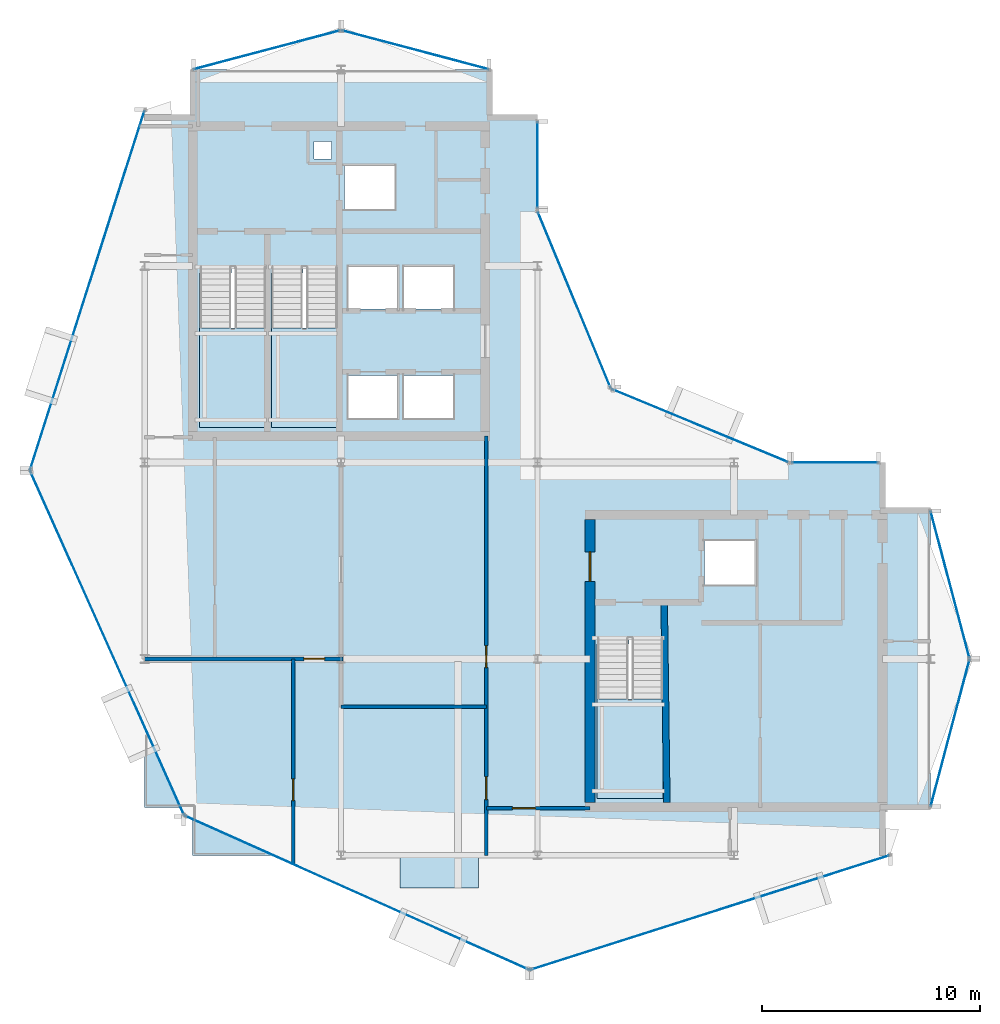
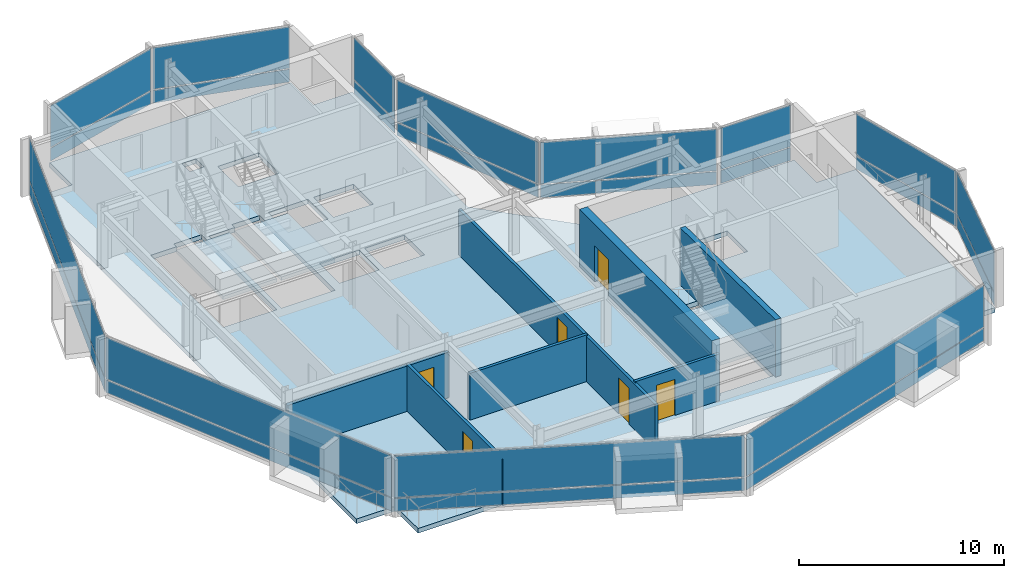
# One storey, part 13 of 19: 24 plates, 7 walls, 6 doors, 5 slabs, 6 openings, 15 elements without a shape of their own.
"""IFC4 building model written with IfcOpenShell, lengths in metres."""

from ifc_helpers import new_model, si_unit, direction, frame, frame_2d, origin, origin_2d, place, context, subcontext, project, spatial, polyline, rectangle, outline, extrude, material, layer, layer_set, type_object, element, fill, aggregate, save


model = new_model("IFC4")

# Units and contexts
model_context = context("Model", 3, precision=1e-05, world=origin(), true_north=direction((0.0, 1.0)))
body_context = subcontext(model_context, "Body", "Model", "MODEL_VIEW")
ifc_project = project(units=[si_unit("LENGTHUNIT", "METRE"), si_unit("AREAUNIT", "SQUARE_METRE"), si_unit("VOLUMEUNIT", "CUBIC_METRE"), si_unit("PLANEANGLEUNIT", "RADIAN"), si_unit("MASSUNIT", "GRAM", prefix="KILO")], contexts=[model_context])

# Site, building, storey
site_placement = place(None, origin())
site = spatial("IfcSite", under=ifc_project, at=site_placement, CompositionType="ELEMENT")
building_placement = place(site_placement, origin())
building = spatial("IfcBuilding", under=site, at=building_placement, Name="Solvaryn Broadcast Tower", CompositionType="ELEMENT")
storey_placement = place(building_placement, frame((0.0, 0.0, 263.0)))
storey = spatial("IfcBuildingStorey", under=building, at=storey_placement, Name="L66", CompositionType="ELEMENT", Elevation=263.0)

# Curtain wall, plates
ifc_material_1 = material(Name="Aluminium and Terracotta Unitised Curtain Wall", Category="masonry")
ifc_layer_1 = layer(ifc_material_1, 0.199951171875)
ifc_layer_set_1 = layer_set([ifc_layer_1], Name="CW-SYS2-LOWMID")
curtain_wall_type = type_object("IfcCurtainWallType", Name="CW-SYS2-LOWMID", PredefinedType="NOTDEFINED", material=ifc_layer_set_1)
curtain_wall_1_placement = place(storey_placement, origin())
curtain_wall_1 = element("IfcCurtainWall", 1, at=curtain_wall_1_placement, inside=storey, type_object=curtain_wall_type, Name="L66 Curtain Wall DR1", PredefinedType="NOTDEFINED")
ifc_material_2 = material(Name="Kiln-Fired Architectural Terracotta Spandrel", Category="masonry")
ifc_layer_2 = layer(ifc_material_2, 0.048095703125)
ifc_layer_set_2 = layer_set([ifc_layer_2], Name="CW-PNL-TERRACOTTA")
plate_type = type_object("IfcPlateType", Name="CW-PNL-TERRACOTTA", PredefinedType="CURTAIN_PANEL", material=ifc_layer_set_2)
plate_1_placement = place(storey_placement, frame((6.368896484375, 34.892578125, 0.06005859375), z_axis=(0.0, 0.0, 1.0), x_axis=(-0.30361564569, -0.952794594701, 0.0)))
plate_1 = element("IfcPlate", 2, at=plate_1_placement, type_object=plate_type, Name="CWS2 panel 1.1", PredefinedType="CURTAIN_PANEL", context=body_context, shape_type="SweptSolid", body=[
    extrude(rectangle(XDim=17.211181640625, YDim=0.028076171875, at=origin_2d()), origin(), (0.0, 0.0, 1.0), 0.760009765625),
])
plate_2_placement = place(storey_placement, frame((6.368896484375, 34.892578125, 0.880126953125), z_axis=(0.0, 0.0, 1.0), x_axis=(-0.30361564569, -0.952794594701, 0.0)))
plate_2 = element("IfcPlate", 3, at=plate_2_placement, type_object=plate_type, Name="CWS2 panel 1.2", PredefinedType="CURTAIN_PANEL", context=body_context, shape_type="SweptSolid", body=[
    extrude(rectangle(XDim=17.211181640625, YDim=0.028076171875, at=origin_2d()), origin(), (0.0, 0.0, 1.0), 2.47998046875),
])
aggregate(curtain_wall_1, [plate_1, plate_2])

curtain_wall_2_placement = place(storey_placement, origin())
curtain_wall_2 = element("IfcCurtainWall", 4, at=curtain_wall_2_placement, inside=storey, type_object=curtain_wall_type, Name="L66 Curtain Wall DR2", PredefinedType="NOTDEFINED")
plate_3_placement = place(storey_placement, frame((7.277587890625, 18.7265625, 0.06005859375), z_axis=(0.0, 0.0, 1.0), x_axis=(0.408466010682, -0.912773530574, 0.0)))
plate_3 = element("IfcPlate", 5, at=plate_3_placement, type_object=plate_type, Name="CWS2 panel 1.1", PredefinedType="CURTAIN_PANEL", context=body_context, shape_type="SweptSolid", body=[
    extrude(rectangle(XDim=17.210693359375, YDim=0.028076171875, at=origin_2d()), origin(), (0.0, 0.0, 1.0), 0.760009765625),
])
plate_4_placement = place(storey_placement, frame((7.277587890625, 18.7265625, 0.880126953125), z_axis=(0.0, 0.0, 1.0), x_axis=(0.408466010682, -0.912773530574, 0.0)))
plate_4 = element("IfcPlate", 6, at=plate_4_placement, type_object=plate_type, Name="CWS2 panel 1.2", PredefinedType="CURTAIN_PANEL", context=body_context, shape_type="SweptSolid", body=[
    extrude(rectangle(XDim=17.210693359375, YDim=0.028076171875, at=origin_2d()), origin(), (0.0, 0.0, 1.0), 2.47998046875),
])
aggregate(curtain_wall_2, [plate_3, plate_4])

curtain_wall_3_placement = place(storey_placement, origin())
curtain_wall_3 = element("IfcCurtainWall", 7, at=curtain_wall_3_placement, inside=storey, type_object=curtain_wall_type, Name="L66 Curtain Wall DR3", PredefinedType="NOTDEFINED")
plate_5_placement = place(storey_placement, frame((18.7265625, 7.277587890625, 0.06005859375), z_axis=(0.0, 0.0, 1.0), x_axis=(0.912773530574, -0.408466010682, 0.0)))
plate_5 = element("IfcPlate", 8, at=plate_5_placement, type_object=plate_type, Name="CWS2 panel 1.1", PredefinedType="CURTAIN_PANEL", context=body_context, shape_type="SweptSolid", body=[
    extrude(rectangle(XDim=17.210693359375, YDim=0.028076171875, at=origin_2d()), origin(), (0.0, 0.0, 1.0), 0.760009765625),
])
plate_6_placement = place(storey_placement, frame((18.7265625, 7.277587890625, 0.880126953125), z_axis=(0.0, 0.0, 1.0), x_axis=(0.912773530574, -0.408466010682, 0.0)))
plate_6 = element("IfcPlate", 9, at=plate_6_placement, type_object=plate_type, Name="CWS2 panel 1.2", PredefinedType="CURTAIN_PANEL", context=body_context, shape_type="SweptSolid", body=[
    extrude(rectangle(XDim=17.210693359375, YDim=0.028076171875, at=origin_2d()), origin(), (0.0, 0.0, 1.0), 2.47998046875),
])
aggregate(curtain_wall_3, [plate_5, plate_6])

curtain_wall_4_placement = place(storey_placement, origin())
curtain_wall_4 = element("IfcCurtainWall", 10, at=curtain_wall_4_placement, inside=storey, type_object=curtain_wall_type, Name="L66 Curtain Wall DR4", PredefinedType="NOTDEFINED")
plate_7_placement = place(storey_placement, frame((34.892578125, 6.368896484375, 0.06005859375), z_axis=(0.0, 0.0, 1.0), x_axis=(0.952794594701, 0.30361564569, 0.0)))
plate_7 = element("IfcPlate", 11, at=plate_7_placement, type_object=plate_type, Name="CWS2 panel 1.1", PredefinedType="CURTAIN_PANEL", context=body_context, shape_type="SweptSolid", body=[
    extrude(rectangle(XDim=17.211181640625, YDim=0.028076171875, at=origin_2d()), origin(), (0.0, 0.0, 1.0), 0.760009765625),
])
plate_8_placement = place(storey_placement, frame((34.892578125, 6.368896484375, 0.880126953125), z_axis=(0.0, 0.0, 1.0), x_axis=(0.952794594701, 0.30361564569, 0.0)))
plate_8 = element("IfcPlate", 12, at=plate_8_placement, type_object=plate_type, Name="CWS2 panel 1.2", PredefinedType="CURTAIN_PANEL", context=body_context, shape_type="SweptSolid", body=[
    extrude(rectangle(XDim=17.211181640625, YDim=0.028076171875, at=origin_2d()), origin(), (0.0, 0.0, 1.0), 2.47998046875),
])
aggregate(curtain_wall_4, [plate_7, plate_8])

curtain_wall_5_placement = place(storey_placement, origin())
curtain_wall_5 = element("IfcCurtainWall", 13, at=curtain_wall_5_placement, inside=storey, type_object=curtain_wall_type, Name="L66 Curtain Wall IV", PredefinedType="NOTDEFINED")
plate_9_placement = place(storey_placement, frame((27.0, 40.625, 0.06005859375), z_axis=(0.0, 0.0, 1.0), x_axis=(0.0, -1.0, 0.0)))
plate_9 = element("IfcPlate", 14, at=plate_9_placement, type_object=plate_type, Name="CWS2 panel 1.1", PredefinedType="CURTAIN_PANEL", context=body_context, shape_type="SweptSolid", body=[
    extrude(rectangle(XDim=3.929931640625, YDim=0.028076171875, at=origin_2d()), origin(), (0.0, 0.0, 1.0), 0.760009765625),
])
plate_10_placement = place(storey_placement, frame((27.0, 40.625, 0.880126953125), z_axis=(0.0, 0.0, 1.0), x_axis=(0.0, -1.0, 0.0)))
plate_10 = element("IfcPlate", 15, at=plate_10_placement, type_object=plate_type, Name="CWS2 panel 1.2", PredefinedType="CURTAIN_PANEL", context=body_context, shape_type="SweptSolid", body=[
    extrude(rectangle(XDim=3.929931640625, YDim=0.028076171875, at=origin_2d()), origin(), (0.0, 0.0, 1.0), 2.47998046875),
])
aggregate(curtain_wall_5, [plate_9, plate_10])

curtain_wall_6_placement = place(storey_placement, origin())
curtain_wall_6 = element("IfcCurtainWall", 16, at=curtain_wall_6_placement, inside=storey, type_object=curtain_wall_type, Name="L66 Curtain Wall CN1", PredefinedType="NOTDEFINED")
plate_11_placement = place(storey_placement, frame((34.43408203125, 28.68408203125, 0.06005859375), z_axis=(0.0, 0.0, 1.0), x_axis=(-0.923894983957, 0.382646127145, 0.0)))
plate_11 = element("IfcPlate", 17, at=plate_11_placement, type_object=plate_type, Name="CWS2 panel 1.1", PredefinedType="CURTAIN_PANEL", context=body_context, shape_type="SweptSolid", body=[
    extrude(rectangle(XDim=8.681884765625, YDim=0.028076171875, at=origin_2d()), origin(), (0.0, 0.0, 1.0), 0.760009765625),
])
plate_12_placement = place(storey_placement, frame((34.43408203125, 28.68408203125, 0.880126953125), z_axis=(0.0, 0.0, 1.0), x_axis=(-0.923894983957, 0.382646127145, 0.0)))
plate_12 = element("IfcPlate", 18, at=plate_12_placement, type_object=plate_type, Name="CWS2 panel 1.2", PredefinedType="CURTAIN_PANEL", context=body_context, shape_type="SweptSolid", body=[
    extrude(rectangle(XDim=8.681884765625, YDim=0.028076171875, at=origin_2d()), origin(), (0.0, 0.0, 1.0), 2.47998046875),
])
aggregate(curtain_wall_6, [plate_11, plate_12])

curtain_wall_7_placement = place(storey_placement, origin())
curtain_wall_7 = element("IfcCurtainWall", 19, at=curtain_wall_7_placement, inside=storey, type_object=curtain_wall_type, Name="L66 Curtain Wall CN2", PredefinedType="NOTDEFINED")
plate_13_placement = place(storey_placement, frame((28.68408203125, 34.43408203125, 0.06005859375), z_axis=(0.0, 0.0, 1.0), x_axis=(-0.382646127145, 0.923894983957, 0.0)))
plate_13 = element("IfcPlate", 20, at=plate_13_placement, type_object=plate_type, Name="CWS2 panel 1.1", PredefinedType="CURTAIN_PANEL", context=body_context, shape_type="SweptSolid", body=[
    extrude(rectangle(XDim=8.681884765625, YDim=0.028076171875, at=origin_2d()), origin(), (0.0, 0.0, 1.0), 0.760009765625),
])
plate_14_placement = place(storey_placement, frame((28.68408203125, 34.43408203125, 0.880126953125), z_axis=(0.0, 0.0, 1.0), x_axis=(-0.382646127145, 0.923894983957, 0.0)))
plate_14 = element("IfcPlate", 21, at=plate_14_placement, type_object=plate_type, Name="CWS2 panel 1.2", PredefinedType="CURTAIN_PANEL", context=body_context, shape_type="SweptSolid", body=[
    extrude(rectangle(XDim=8.681884765625, YDim=0.028076171875, at=origin_2d()), origin(), (0.0, 0.0, 1.0), 2.47998046875),
])
aggregate(curtain_wall_7, [plate_13, plate_14])

curtain_wall_8_placement = place(storey_placement, origin())
curtain_wall_8 = element("IfcCurtainWall", 22, at=curtain_wall_8_placement, inside=storey, type_object=curtain_wall_type, Name="L66 Curtain Wall NT1", PredefinedType="NOTDEFINED")
plate_15_placement = place(storey_placement, frame((21.39990234375, 45.89990234375, 0.06005859375), z_axis=(0.0, 0.0, 1.0), x_axis=(-0.966705227863, 0.25589256031, 0.0)))
plate_15 = element("IfcPlate", 23, at=plate_15_placement, type_object=plate_type, Name="CWS2 panel 1.1", PredefinedType="CURTAIN_PANEL", context=body_context, shape_type="SweptSolid", body=[
    extrude(rectangle(XDim=6.914306640625, YDim=0.028076171875, at=origin_2d()), origin(), (0.0, 0.0, 1.0), 0.760009765625),
])
plate_16_placement = place(storey_placement, frame((21.39990234375, 45.89990234375, 0.880126953125), z_axis=(0.0, 0.0, 1.0), x_axis=(-0.966705227863, 0.25589256031, 0.0)))
plate_16 = element("IfcPlate", 24, at=plate_16_placement, type_object=plate_type, Name="CWS2 panel 1.2", PredefinedType="CURTAIN_PANEL", context=body_context, shape_type="SweptSolid", body=[
    extrude(rectangle(XDim=6.914306640625, YDim=0.028076171875, at=origin_2d()), origin(), (0.0, 0.0, 1.0), 2.47998046875),
])
aggregate(curtain_wall_8, [plate_15, plate_16])

curtain_wall_9_placement = place(storey_placement, origin())
curtain_wall_9 = element("IfcCurtainWall", 25, at=curtain_wall_9_placement, inside=storey, type_object=curtain_wall_type, Name="L66 Curtain Wall NT2", PredefinedType="NOTDEFINED")
plate_17_placement = place(storey_placement, frame((14.60009765625, 45.89990234375, 0.06005859375), z_axis=(0.0, 0.0, 1.0), x_axis=(-0.966705227863, -0.25589256031, 0.0)))
plate_17 = element("IfcPlate", 26, at=plate_17_placement, type_object=plate_type, Name="CWS2 panel 1.1", PredefinedType="CURTAIN_PANEL", context=body_context, shape_type="SweptSolid", body=[
    extrude(rectangle(XDim=6.914306640625, YDim=0.028076171875, at=origin_2d()), origin(), (0.0, 0.0, 1.0), 0.760009765625),
])
plate_18_placement = place(storey_placement, frame((14.60009765625, 45.89990234375, 0.880126953125), z_axis=(0.0, 0.0, 1.0), x_axis=(-0.966705227863, -0.25589256031, 0.0)))
plate_18 = element("IfcPlate", 27, at=plate_18_placement, type_object=plate_type, Name="CWS2 panel 1.2", PredefinedType="CURTAIN_PANEL", context=body_context, shape_type="SweptSolid", body=[
    extrude(rectangle(XDim=6.914306640625, YDim=0.028076171875, at=origin_2d()), origin(), (0.0, 0.0, 1.0), 2.47998046875),
])
aggregate(curtain_wall_9, [plate_17, plate_18])

curtain_wall_10_placement = place(storey_placement, origin())
curtain_wall_10 = element("IfcCurtainWall", 28, at=curtain_wall_10_placement, inside=storey, type_object=curtain_wall_type, Name="L66 Curtain Wall ET1", PredefinedType="NOTDEFINED")
plate_19_placement = place(storey_placement, frame((45.89990234375, 21.39990234375, 0.06005859375), z_axis=(0.0, 0.0, 1.0), x_axis=(0.25589256031, -0.966705227863, 0.0)))
plate_19 = element("IfcPlate", 29, at=plate_19_placement, type_object=plate_type, Name="CWS2 panel 1.1", PredefinedType="CURTAIN_PANEL", context=body_context, shape_type="SweptSolid", body=[
    extrude(rectangle(XDim=6.914306640625, YDim=0.028076171875, at=origin_2d()), origin(), (0.0, 0.0, 1.0), 0.760009765625),
])
plate_20_placement = place(storey_placement, frame((45.89990234375, 21.39990234375, 0.880126953125), z_axis=(0.0, 0.0, 1.0), x_axis=(0.25589256031, -0.966705227863, 0.0)))
plate_20 = element("IfcPlate", 30, at=plate_20_placement, type_object=plate_type, Name="CWS2 panel 1.2", PredefinedType="CURTAIN_PANEL", context=body_context, shape_type="SweptSolid", body=[
    extrude(rectangle(XDim=6.914306640625, YDim=0.028076171875, at=origin_2d()), origin(), (0.0, 0.0, 1.0), 2.47998046875),
])
aggregate(curtain_wall_10, [plate_19, plate_20])

curtain_wall_11_placement = place(storey_placement, origin())
curtain_wall_11 = element("IfcCurtainWall", 31, at=curtain_wall_11_placement, inside=storey, type_object=curtain_wall_type, Name="L66 Curtain Wall ET2", PredefinedType="NOTDEFINED")
plate_21_placement = place(storey_placement, frame((45.89990234375, 14.60009765625, 0.06005859375), z_axis=(0.0, 0.0, 1.0), x_axis=(-0.25589256031, -0.966705227863, 0.0)))
plate_21 = element("IfcPlate", 32, at=plate_21_placement, type_object=plate_type, Name="CWS2 panel 1.1", PredefinedType="CURTAIN_PANEL", context=body_context, shape_type="SweptSolid", body=[
    extrude(rectangle(XDim=6.914306640625, YDim=0.028076171875, at=origin_2d()), origin(), (0.0, 0.0, 1.0), 0.760009765625),
])
plate_22_placement = place(storey_placement, frame((45.89990234375, 14.60009765625, 0.880126953125), z_axis=(0.0, 0.0, 1.0), x_axis=(-0.25589256031, -0.966705227863, 0.0)))
plate_22 = element("IfcPlate", 33, at=plate_22_placement, type_object=plate_type, Name="CWS2 panel 1.2", PredefinedType="CURTAIN_PANEL", context=body_context, shape_type="SweptSolid", body=[
    extrude(rectangle(XDim=6.914306640625, YDim=0.028076171875, at=origin_2d()), origin(), (0.0, 0.0, 1.0), 2.47998046875),
])
aggregate(curtain_wall_11, [plate_21, plate_22])

curtain_wall_12_placement = place(storey_placement, origin())
curtain_wall_12 = element("IfcCurtainWall", 34, at=curtain_wall_12_placement, inside=storey, type_object=curtain_wall_type, Name="L66 Curtain Wall IH", PredefinedType="NOTDEFINED")
plate_23_placement = place(storey_placement, frame((40.625, 27.0, 0.06005859375), z_axis=(0.0, 0.0, 1.0), x_axis=(1.0, 0.0, 0.0)))
plate_23 = element("IfcPlate", 35, at=plate_23_placement, type_object=plate_type, Name="CWS2 panel 1.1", PredefinedType="CURTAIN_PANEL", context=body_context, shape_type="SweptSolid", body=[
    extrude(rectangle(XDim=3.929931640625, YDim=0.028076171875, at=origin_2d()), origin(), (0.0, 0.0, 1.0), 0.760009765625),
])
plate_24_placement = place(storey_placement, frame((40.625, 27.0, 0.880126953125), z_axis=(0.0, 0.0, 1.0), x_axis=(1.0, 0.0, 0.0)))
plate_24 = element("IfcPlate", 36, at=plate_24_placement, type_object=plate_type, Name="CWS2 panel 1.2", PredefinedType="CURTAIN_PANEL", context=body_context, shape_type="SweptSolid", body=[
    extrude(rectangle(XDim=3.929931640625, YDim=0.028076171875, at=origin_2d()), origin(), (0.0, 0.0, 1.0), 2.47998046875),
])
aggregate(curtain_wall_12, [plate_23, plate_24])

# Slab
ifc_material_3 = material(Name="Concrete f'c 60 MPa", Category="concrete")
ifc_layer_3 = layer(ifc_material_3, 0.2099609375)
ifc_layer_set_3 = layer_set([ifc_layer_3], Name="SL-BAYBOX-210")
slab_type_1 = type_object("IfcSlabType", Name="SL-BAYBOX-210", PredefinedType="FLOOR", material=ifc_layer_set_3)
slab_1_placement = place(storey_placement, frame((0.0, 0.0, -0.2099609375)))
element("IfcSlab", 37, at=slab_1_placement, inside=storey, type_object=slab_type_1, Name="L66 Projecting Bay-Box Slab 1", PredefinedType="FLOOR", context=body_context, shape_type="SweptSolid", body=[
    extrude(outline(polyline([(20.699951171875, 7.5), (24.300048828125, 7.5), (24.300048828125, 9.0), (20.699951171875, 9.0), (20.699951171875, 7.5)])), origin(), (0.0, 0.0, 1.0), 0.2099609375),
])

# Stair, slab
ifc_material_4 = material(Name="Concrete f'c 60 MPa", Category="concrete")
stair_type = type_object("IfcStairType", Name="ST-CORE", PredefinedType="HALF_TURN_STAIR", material=ifc_material_4)
stair_1_placement = place(storey_placement, origin())
stair_1 = element("IfcStair", 38, at=stair_1_placement, inside=storey, type_object=stair_type, Name="L66 ST1", PredefinedType="HALF_TURN_STAIR")
ifc_material_5 = material(Name="Concrete f'c 60 MPa", Category="concrete")
ifc_layer_4 = layer(ifc_material_5, 0.199951171875)
ifc_layer_set_4 = layer_set([ifc_layer_4], Name="SL-LANDING-200")
slab_type_2 = type_object("IfcSlabType", Name="SL-LANDING-200", PredefinedType="LANDING", material=ifc_layer_set_4)
slab_2_placement = place(storey_placement, frame((0.0, 0.0, 1.64990234375)))
slab_2 = element("IfcSlab", 39, at=slab_2_placement, type_object=slab_type_2, Name="ST1 landing 1", PredefinedType="LANDING", context=body_context, shape_type="SweptSolid", body=[
    extrude(outline(polyline([(11.52001953125, 33.159912109375), (11.52001953125, 28.60009765625), (14.550048828125, 28.60009765625), (14.550048828125, 33.159912109375), (11.52001953125, 33.159912109375)])), origin(), (0.0, 0.0, 1.0), 0.2001953125),
])
aggregate(stair_1, [slab_2])

stair_2_placement = place(storey_placement, origin())
stair_2 = element("IfcStair", 40, at=stair_2_placement, inside=storey, type_object=stair_type, Name="L66 ST2", PredefinedType="HALF_TURN_STAIR")
slab_3_placement = place(storey_placement, frame((0.0, 0.0, 1.64990234375)))
slab_3 = element("IfcSlab", 41, at=slab_3_placement, type_object=slab_type_2, Name="ST2 landing 1", PredefinedType="LANDING", context=body_context, shape_type="SweptSolid", body=[
    extrude(outline(polyline([(14.800048828125, 33.159912109375), (14.800048828125, 28.60009765625), (17.830078125, 28.60009765625), (17.830078125, 33.159912109375), (14.800048828125, 33.159912109375)])), origin(), (0.0, 0.0, 1.0), 0.2001953125),
])
aggregate(stair_2, [slab_3])

stair_3_placement = place(storey_placement, origin())
stair_3 = element("IfcStair", 42, at=stair_3_placement, inside=storey, type_object=stair_type, Name="L66 ST3", PredefinedType="HALF_TURN_STAIR")
slab_4_placement = place(storey_placement, frame((0.0, 0.0, 1.64990234375)))
slab_4 = element("IfcSlab", 43, at=slab_4_placement, type_object=slab_type_2, Name="ST3 landing 1", PredefinedType="LANDING", context=body_context, shape_type="SweptSolid", body=[
    extrude(outline(polyline([(29.719970703125, 16.159912109375), (29.719970703125, 11.60009765625), (32.75, 11.60009765625), (32.75, 16.159912109375), (29.719970703125, 16.159912109375)])), origin(), (0.0, 0.0, 1.0), 0.2001953125),
])
aggregate(stair_3, [slab_4])

# Slab
ifc_material_6 = material(Name="Concrete f'c 60 MPa", Category="concrete")
ifc_layer_5 = layer(ifc_material_6, 0.280029296875)
ifc_layer_set_5 = layer_set([ifc_layer_5], Name="SL-TWR-280")
slab_type_3 = type_object("IfcSlabType", Name="SL-TWR-280", PredefinedType="FLOOR", material=ifc_layer_set_5)
slab_5_placement = place(storey_placement, frame((0.0, 0.0, -0.280029296875)))
element("IfcSlab", 44, at=slab_5_placement, inside=storey, type_object=slab_type_3, Name="L66 Structural Floor Slab", PredefinedType="FLOOR", context=body_context, shape_type="SweptSolid", body=[
    extrude(outline(polyline([(11.199951171875, 9.0), (42.800048828125, 9.0), (42.800048828125, 11.199951171875), (45.0, 11.199951171875), (45.0, 24.800048828125), (42.800048828125, 24.800048828125), (42.800048828125, 27.0), (31.5, 27.0), (27.0, 31.5), (27.0, 42.800048828125), (24.800048828125, 42.800048828125), (24.800048828125, 45.0), (11.199951171875, 45.0), (11.199951171875, 42.800048828125), (9.0, 42.800048828125), (9.0, 11.199951171875), (11.199951171875, 11.199951171875), (11.199951171875, 9.0)]), holes=[polyline([(11.52001953125, 28.60009765625), (14.550048828125, 28.60009765625), (14.550048828125, 35.9599609375), (12.97998046875, 35.9599609375), (12.97998046875, 35.679931640625), (11.52001953125, 35.679931640625), (11.52001953125, 28.60009765625)]), polyline([(14.800048828125, 28.60009765625), (17.830078125, 28.60009765625), (17.830078125, 35.9599609375), (16.260009765625, 35.9599609375), (16.260009765625, 35.679931640625), (14.800048828125, 35.679931640625), (14.800048828125, 28.60009765625)]), polyline([(29.719970703125, 11.60009765625), (32.75, 11.60009765625), (32.75, 18.9599609375), (31.179931640625, 18.9599609375), (31.179931640625, 18.679931640625), (29.719970703125, 18.679931640625), (29.719970703125, 11.60009765625)]), polyline([(18.14990234375, 38.60009765625), (20.449951171875, 38.60009765625), (20.449951171875, 40.60009765625), (18.14990234375, 40.60009765625), (18.14990234375, 38.60009765625)]), polyline([(18.324951171875, 29.02490234375), (20.574951171875, 29.02490234375), (20.574951171875, 30.97509765625), (18.324951171875, 30.97509765625), (18.324951171875, 29.02490234375)]), polyline([(20.875, 29.02490234375), (23.125, 29.02490234375), (23.125, 30.97509765625), (20.875, 30.97509765625), (20.875, 29.02490234375)]), polyline([(18.324951171875, 34.02490234375), (20.574951171875, 34.02490234375), (20.574951171875, 35.97509765625), (18.324951171875, 35.97509765625), (18.324951171875, 34.02490234375)]), polyline([(20.875, 34.02490234375), (23.125, 34.02490234375), (23.125, 35.97509765625), (20.875, 35.97509765625), (20.875, 34.02490234375)]), polyline([(34.64990234375, 21.39990234375), (36.949951171875, 21.39990234375), (36.949951171875, 23.39990234375), (34.64990234375, 23.39990234375), (34.64990234375, 21.39990234375)]), polyline([(16.75, 40.89990234375), (17.550048828125, 40.89990234375), (17.550048828125, 41.699951171875), (16.75, 41.699951171875), (16.75, 40.89990234375)])]), origin(), (0.0, 0.0, 1.0), 0.280029296875),
])

# Wall, opening, door
ifc_material_7 = material(Name="Concrete f'c 70 MPa", Category="concrete")
ifc_layer_6 = layer(ifc_material_7, 0.449951171875)
ifc_layer_set_6 = layer_set([ifc_layer_6], Name="CW-SHEAR-450")
wall_type_1 = type_object("IfcWallType", Name="CW-SHEAR-450", PredefinedType="SHEAR", material=ifc_layer_set_6)
wall_1_placement = place(storey_placement, frame((29.39990234375, 24.375, 0.0), z_axis=(0.0, 0.0, 1.0), x_axis=(0.0, -1.0, 0.0)))
wall_1 = element("IfcWall", 45, at=wall_1_placement, inside=storey, type_object=wall_type_1, Name="L66 East Core West Shear Wall", PredefinedType="SHEAR", context=body_context, shape_type="SweptSolid", body=[
    extrude(rectangle(XDim=12.949951171875, YDim=0.449951171875, at=frame_2d((6.47509765625, 0.0))), origin(), (0.0, 0.0, 1.0), 3.419921875),
])
opening_1_placement = place(wall_1_placement, frame((1.47509765625, 0.0, 0.0)))
opening_1 = element("IfcOpeningElement", 46, at=opening_1_placement, cuts=wall_1, Name="Opening FD90B", PredefinedType="OPENING", context=body_context, shape_type="SweptSolid", body=[
    extrude(rectangle(XDim=1.35009765625, YDim=2.14990234375, at=frame_2d((0.675048828125, 1.074951171875))), frame((0.0, 0.235107421875, 0.0), z_axis=(0.0, -1.0, 0.0), x_axis=(1.0, 0.0, 0.0)), (0.0, 0.0, 1.0), 0.469970703125),
])
ifc_material_8 = material(Name="Flush Acoustic Steel and Timber Door Assembly", Category="steel")
door_type_1 = type_object("IfcDoorType", Name="FD90-LOBBY-1350X2150", OperationType="NOTDEFINED", PredefinedType="DOOR", material=ifc_material_8)
door_1_placement = place(opening_1_placement, origin())
door_1 = element("IfcDoor", 47, at=door_1_placement, inside=storey, type_object=door_type_1, Name="L66 East FSAE Lobby Door", OperationType="SINGLE_SWING_RIGHT", OverallHeight=2.14990234375, OverallWidth=1.35009765625, PredefinedType="DOOR", context=body_context, shape_type="SweptSolid", body=[
    extrude(rectangle(XDim=1.35009765625, YDim=2.14990234375, at=frame_2d((0.675048828125, 1.074951171875))), frame((0.0, 0.02490234375, 0.0), z_axis=(0.0, -1.0, 0.0), x_axis=(1.0, 0.0, 0.0)), (0.0, 0.0, 1.0), 0.050048828125),
])
fill(opening_1, door_1)

# Wall, openings, doors
ifc_material_9 = material(Name="Metal-Stud Gypsum Office Partition")
ifc_layer_7 = layer(ifc_material_9, 0.159912109375)
ifc_layer_set_7 = layer_set([ifc_layer_7], Name="IW-PART-160")
wall_type_2 = type_object("IfcWallType", Name="IW-PART-160", PredefinedType="PARTITIONING", material=ifc_layer_set_7)
wall_2_placement = place(storey_placement, frame((24.64990234375, 9.0, 0.0), z_axis=(0.0, 0.0, 1.0), x_axis=(0.0, 1.0, 0.0)))
wall_2 = element("IfcWall", 48, at=wall_2_placement, inside=storey, type_object=wall_type_2, Name="L66 Interior Partition IW-L66-SW-EB", PredefinedType="PARTITIONING", context=body_context, shape_type="SweptSolid", body=[
    extrude(rectangle(XDim=19.199951171875, YDim=0.159912109375, at=frame_2d((9.60009765625, 0.0))), origin(), (0.0, 0.0, 1.0), 2.70703125),
])
opening_2_placement = place(wall_2_placement, frame((8.60009765625, 0.0, 0.0)))
opening_2 = element("IfcOpeningElement", 49, at=opening_2_placement, cuts=wall_2, Name="Opening ID02", PredefinedType="OPENING", context=body_context, shape_type="SweptSolid", body=[
    extrude(rectangle(XDim=1.0, YDim=2.10009765625, at=frame_2d((0.5, 1.050048828125))), frame((0.0, 0.090087890625, 0.0), z_axis=(0.0, -1.0, 0.0), x_axis=(1.0, 0.0, 0.0)), (0.0, 0.0, 1.0), 0.179931640625),
])
opening_3_placement = place(wall_2_placement, frame((2.550048828125, 0.0, 0.0)))
opening_3 = element("IfcOpeningElement", 50, at=opening_3_placement, cuts=wall_2, Name="Opening ID03", PredefinedType="OPENING", context=body_context, shape_type="SweptSolid", body=[
    extrude(rectangle(XDim=1.050048828125, YDim=2.14990234375, at=frame_2d((0.52490234375, 1.074951171875))), frame((0.0, 0.090087890625, 0.0), z_axis=(0.0, -1.0, 0.0), x_axis=(1.0, 0.0, 0.0)), (0.0, 0.0, 1.0), 0.179931640625),
])
ifc_material_10 = material(Name="Flush Acoustic Steel and Timber Door Assembly", Category="steel")
door_type_2 = type_object("IfcDoorType", Name="ID-02-1000X2100", OperationType="NOTDEFINED", PredefinedType="DOOR", material=ifc_material_10)
door_2_placement = place(opening_2_placement, origin())
door_2 = element("IfcDoor", 51, at=door_2_placement, inside=storey, type_object=door_type_2, Name="L66 Door DR-L66-SWL-E1", OperationType="SINGLE_SWING_RIGHT", OverallHeight=2.10009765625, OverallWidth=1.0, PredefinedType="DOOR", context=body_context, shape_type="SweptSolid", body=[
    extrude(rectangle(XDim=1.0, YDim=2.10009765625, at=frame_2d((0.5, 1.050048828125))), frame((0.0, 0.02490234375, 0.0), z_axis=(0.0, -1.0, 0.0), x_axis=(1.0, 0.0, 0.0)), (0.0, 0.0, 1.0), 0.050048828125),
])
fill(opening_2, door_2)
ifc_material_11 = material(Name="Flush Acoustic Steel and Timber Door Assembly", Category="steel")
door_type_3 = type_object("IfcDoorType", Name="ID-03-1050X2150", OperationType="NOTDEFINED", PredefinedType="DOOR", material=ifc_material_11)
door_3_placement = place(opening_3_placement, origin())
door_3 = element("IfcDoor", 52, at=door_3_placement, inside=storey, type_object=door_type_3, Name="L66 Door DR-L66-SWL-E2", OperationType="SINGLE_SWING_LEFT", OverallHeight=2.14990234375, OverallWidth=1.050048828125, PredefinedType="DOOR", context=body_context, shape_type="SweptSolid", body=[
    extrude(rectangle(XDim=1.050048828125, YDim=2.14990234375, at=frame_2d((0.52490234375, 1.074951171875))), frame((0.0, 0.02490234375, 0.0), z_axis=(0.0, -1.0, 0.0), x_axis=(1.0, 0.0, 0.0)), (0.0, 0.0, 1.0), 0.050048828125),
])
fill(opening_3, door_3)

# Wall
wall_3_placement = place(storey_placement, frame((18.0, 15.800048828125, 0.0), z_axis=(0.0, 0.0, 1.0), x_axis=(1.0, 0.0, 0.0)))
element("IfcWall", 53, at=wall_3_placement, inside=storey, type_object=wall_type_2, Name="L66 Interior Partition IW-L66-SW-RH", PredefinedType="PARTITIONING", context=body_context, shape_type="SweptSolid", body=[
    extrude(rectangle(XDim=6.64990234375, YDim=0.159912109375, at=frame_2d((3.324951171875, 0.0))), origin(), (0.0, 0.0, 1.0), 2.7890625),
])

# Wall, opening, door
wall_4_placement = place(storey_placement, frame((15.800048828125, 8.5869140625, 0.0), z_axis=(0.0, 0.0, 1.0), x_axis=(0.0, 1.0, 0.0)))
wall_4 = element("IfcWall", 54, at=wall_4_placement, inside=storey, type_object=wall_type_2, Name="L66 Interior Partition IW-L66-SW-SWV", PredefinedType="PARTITIONING", context=body_context, shape_type="SweptSolid", body=[
    extrude(rectangle(XDim=9.4130859375, YDim=0.159912109375, at=frame_2d((4.70654296875, 0.0))), origin(), (0.0, 0.0, 1.0), 2.7890625),
])
opening_4_placement = place(wall_4_placement, frame((2.9130859375, 0.0, 0.0)))
opening_4 = element("IfcOpeningElement", 55, at=opening_4_placement, cuts=wall_4, Name="Opening ID02", PredefinedType="OPENING", context=body_context, shape_type="SweptSolid", body=[
    extrude(rectangle(XDim=1.0, YDim=2.10009765625, at=frame_2d((0.5, 1.050048828125))), frame((0.0, 0.090087890625, 0.0), z_axis=(0.0, -1.0, 0.0), x_axis=(1.0, 0.0, 0.0)), (0.0, 0.0, 1.0), 0.179931640625),
])
door_4_placement = place(opening_4_placement, origin())
door_4 = element("IfcDoor", 56, at=door_4_placement, inside=storey, type_object=door_type_2, Name="L66 Door DR-L66-SWL-SW", OperationType="SINGLE_SWING_LEFT", OverallHeight=2.10009765625, OverallWidth=1.0, PredefinedType="DOOR", context=body_context, shape_type="SweptSolid", body=[
    extrude(rectangle(XDim=1.0, YDim=2.10009765625, at=frame_2d((0.5, 1.050048828125))), frame((0.0, 0.02490234375, 0.0), z_axis=(0.0, -1.0, 0.0), x_axis=(1.0, 0.0, 0.0)), (0.0, 0.0, 1.0), 0.050048828125),
])
fill(opening_4, door_4)

wall_5_placement = place(storey_placement, frame((24.64990234375, 11.14990234375, 0.0), z_axis=(0.0, 0.0, 1.0), x_axis=(1.0, 0.0, 0.0)))
wall_5 = element("IfcWall", 57, at=wall_5_placement, inside=storey, type_object=wall_type_2, Name="L66 Interior Partition IW-L66-SC-N", PredefinedType="PARTITIONING", context=body_context, shape_type="SweptSolid", body=[
    extrude(rectangle(XDim=4.75, YDim=0.159912109375, at=frame_2d((2.375, 0.0))), origin(), (0.0, 0.0, 1.0), 2.7919921875),
])
opening_5_placement = place(wall_5_placement, frame((1.199951171875, 0.0, 0.0)))
opening_5 = element("IfcOpeningElement", 58, at=opening_5_placement, cuts=wall_5, Name="Opening ID03", PredefinedType="OPENING", context=body_context, shape_type="SweptSolid", body=[
    extrude(rectangle(XDim=1.050048828125, YDim=2.14990234375, at=frame_2d((0.52490234375, 1.074951171875))), frame((0.0, 0.090087890625, 0.0), z_axis=(0.0, -1.0, 0.0), x_axis=(1.0, 0.0, 0.0)), (0.0, 0.0, 1.0), 0.179931640625),
])
door_5_placement = place(opening_5_placement, origin())
door_5 = element("IfcDoor", 59, at=door_5_placement, inside=storey, type_object=door_type_3, Name="L66 Door DR-L66-SC0", OperationType="SINGLE_SWING_RIGHT", OverallHeight=2.14990234375, OverallWidth=1.050048828125, PredefinedType="DOOR", context=body_context, shape_type="SweptSolid", body=[
    extrude(rectangle(XDim=1.050048828125, YDim=2.14990234375, at=frame_2d((0.52490234375, 1.074951171875))), frame((0.0, 0.02490234375, 0.0), z_axis=(0.0, -1.0, 0.0), x_axis=(1.0, 0.0, 0.0)), (0.0, 0.0, 1.0), 0.050048828125),
])
fill(opening_5, door_5)

ifc_material_12 = material(Name="Acoustic Metal-Stud Gypsum Partition")
ifc_layer_8 = layer(ifc_material_12, 0.179931640625)
ifc_layer_set_8 = layer_set([ifc_layer_8], Name="IW-PART-180")
wall_type_3 = type_object("IfcWallType", Name="IW-PART-180", PredefinedType="PARTITIONING", material=ifc_layer_set_8)
wall_6_placement = place(storey_placement, frame((9.0, 18.0, 0.0), z_axis=(0.0, 0.0, 1.0), x_axis=(1.0, 0.0, 0.0)))
wall_6 = element("IfcWall", 60, at=wall_6_placement, inside=storey, type_object=wall_type_3, Name="L66 Interior Partition IW-L66-SW-LH", PredefinedType="PARTITIONING", context=body_context, shape_type="SweptSolid", body=[
    extrude(rectangle(XDim=9.080078125, YDim=0.179931640625, at=frame_2d((4.5400390625, 0.0))), origin(), (0.0, 0.0, 1.0), 2.70703125),
])
opening_6_placement = place(wall_6_placement, frame((7.2900390625, 0.0, 0.0)))
opening_6 = element("IfcOpeningElement", 61, at=opening_6_placement, cuts=wall_6, Name="Opening ID01", PredefinedType="OPENING", context=body_context, shape_type="SweptSolid", body=[
    extrude(rectangle(XDim=0.949951171875, YDim=2.10009765625, at=frame_2d((0.47509765625, 1.050048828125))), frame((0.0, 0.099853515625, 0.0), z_axis=(0.0, -1.0, 0.0), x_axis=(1.0, 0.0, 0.0)), (0.0, 0.0, 1.0), 0.199951171875),
])
ifc_material_13 = material(Name="Flush Acoustic Steel and Timber Door Assembly", Category="steel")
door_type_4 = type_object("IfcDoorType", Name="ID-01-950X2100", OperationType="NOTDEFINED", PredefinedType="DOOR", material=ifc_material_13)
door_6_placement = place(opening_6_placement, origin())
door_6 = element("IfcDoor", 62, at=door_6_placement, inside=storey, type_object=door_type_4, Name="L66 Door DR-L66-SWL-LH", OperationType="SINGLE_SWING_RIGHT", OverallHeight=2.10009765625, OverallWidth=0.949951171875, PredefinedType="DOOR", context=body_context, shape_type="SweptSolid", body=[
    extrude(rectangle(XDim=0.949951171875, YDim=2.10009765625, at=frame_2d((0.47509765625, 1.050048828125))), frame((0.0, 0.02490234375, 0.0), z_axis=(0.0, -1.0, 0.0), x_axis=(1.0, 0.0, 0.0)), (0.0, 0.0, 1.0), 0.050048828125),
])
fill(opening_6, door_6)

# Wall
ifc_material_14 = material(Name="Concrete f'c 70 MPa", Category="concrete")
ifc_layer_9 = layer(ifc_material_14, 0.300048828125)
ifc_layer_set_9 = layer_set([ifc_layer_9], Name="SW-SHAFT-300")
wall_type_4 = type_object("IfcWallType", Name="SW-SHAFT-300", PredefinedType="SHEAR", material=ifc_layer_set_9)
wall_7_placement = place(storey_placement, frame((32.919921875, 11.425048828125, 0.0), z_axis=(0.0, 0.0, 1.0), x_axis=(-0.013135638869, 0.999913723774, 0.0)))
element("IfcWall", 63, at=wall_7_placement, inside=storey, type_object=wall_type_4, Name="L66 Stair 3 East Shear Wall", PredefinedType="SHEAR", context=body_context, shape_type="SweptSolid", body=[
    extrude(rectangle(XDim=9.125732421875, YDim=0.300048828125, at=frame_2d((4.56298828125, 0.0))), origin(), (0.0, 0.0, 1.0), 3.419921875),
])

save(model, "model.ifc")
